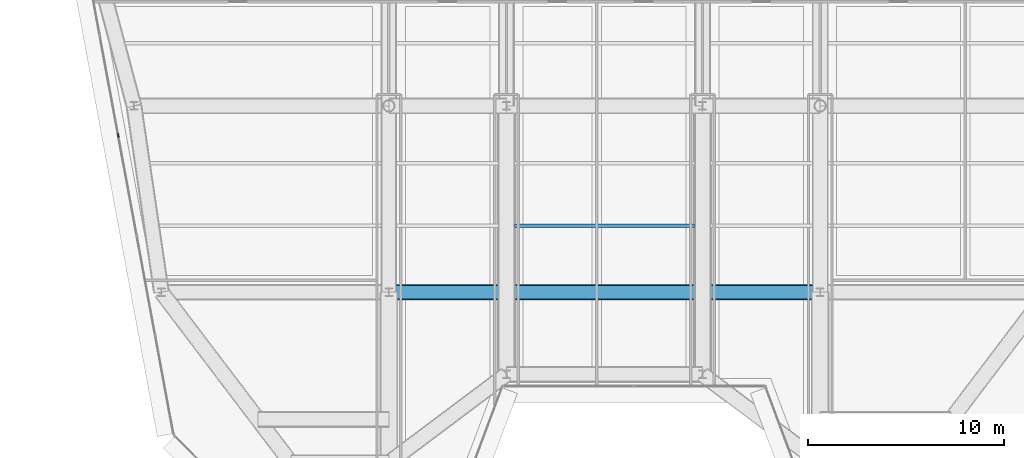
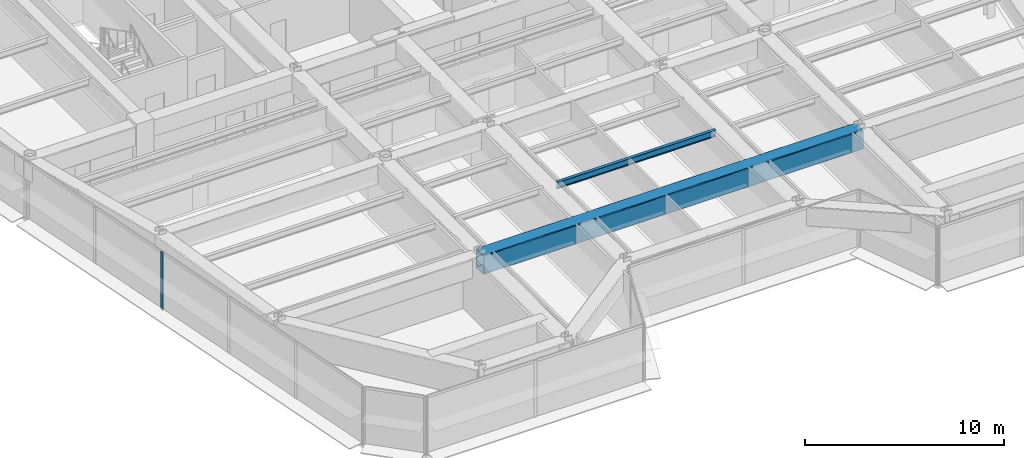
# One storey, part 3 of 17: 2 beams, 1 member, 1 element without a shape of its own.
"""IFC4 building model written with IfcOpenShell, lengths in metres."""

from ifc_helpers import new_model, si_unit, direction, frame, origin, origin_2d, place, context, subcontext, project, spatial, rectangle, hollow_rectangle, i_section, extrude, source, transform, mapped, material, layer, layer_set, material_profile, profile_set, type_object, element, aggregate, save


model = new_model("IFC4")

# Units and contexts
model_context = context("Model", 3, precision=1e-05, world=origin(), true_north=direction((0.0, 1.0)))
body_context = subcontext(model_context, "Body", "Model", "MODEL_VIEW")
ifc_project = project(units=[si_unit("LENGTHUNIT", "METRE"), si_unit("AREAUNIT", "SQUARE_METRE"), si_unit("VOLUMEUNIT", "CUBIC_METRE"), si_unit("PLANEANGLEUNIT", "RADIAN"), si_unit("MASSUNIT", "GRAM", prefix="KILO")], contexts=[model_context])

# Site, building, storey
site_placement = place(None, origin())
site = spatial("IfcSite", under=ifc_project, at=site_placement, CompositionType="ELEMENT")
building_placement = place(site_placement, origin())
building = spatial("IfcBuilding", under=site, at=building_placement, Name="Vaeldorn Concourse Tower", CompositionType="ELEMENT")
storey_placement = place(building_placement, frame((0.0, 0.0, 234.60009765625)))
storey = spatial("IfcBuildingStorey", under=building, at=storey_placement, Name="L60", CompositionType="ELEMENT", Elevation=234.60009765625)

# Beams
ifc_material_1 = material(Name="Steel S460", Category="steel")
ifc_material_profile_1 = material_profile(ifc_material_1, hollow_rectangle(XDim=0.800048828125, YDim=1.199951171875, WallThickness=0.044921875, InnerFilletRadius=0.044921875, OuterFilletRadius=0.090087890625, at=origin_2d()), Name="RHS 1200x800x45")
ifc_profile_set_1 = profile_set([ifc_material_profile_1], Name="Steel S460")
beam_type_1 = type_object("IfcBeamType", Name="BM-TG-RHS1200", PredefinedType="BEAM", material=ifc_profile_set_1)
shared_shape_1 = source(origin(), body_context, "Body", "SweptSolid", [
    extrude(hollow_rectangle(XDim=0.800048828125, YDim=1.199951171875, WallThickness=0.044921875, InnerFilletRadius=0.044921875, OuterFilletRadius=0.090087890625, at=origin_2d()), origin(), (0.0, 0.0, 1.0), 22.0),
])
beam_1_placement = place(storey_placement, frame((23.0, 18.0, 2.97998046875), z_axis=(1.0, 0.0, 0.0), x_axis=(0.0, 1.0, 0.0)))
element("IfcBeam", 1, at=beam_1_placement, inside=storey, type_object=beam_type_1, Name="Beam BM-L60-C-TW5-C-TW6", PredefinedType="BEAM", context=body_context, shape_type="MappedRepresentation", body=[
    mapped(shared_shape_1, transform((0.0, 0.0, 0.0), scale=1.0)),
])
ifc_material_2 = material(Name="Steel S355", Category="steel")
ifc_material_profile_2 = material_profile(ifc_material_2, i_section(OverallWidth=0.179931640625, OverallDepth=0.39990234375, WebThickness=0.008544921875, FlangeThickness=0.013427734375, FilletRadius=0.02099609375, at=origin_2d()), Name="IPE 400")
ifc_profile_set_2 = profile_set([ifc_material_profile_2], Name="Steel S355")
beam_type_2 = type_object("IfcBeamType", Name="BM-JS-IPE400", PredefinedType="JOIST", material=ifc_profile_set_2)
shared_shape_2 = source(origin(), body_context, "Body", "SweptSolid", [
    extrude(i_section(OverallWidth=0.179931640625, OverallDepth=0.39990234375, WebThickness=0.008544921875, FlangeThickness=0.013427734375, FilletRadius=0.02099609375, at=origin_2d()), origin(), (0.0, 0.0, 1.0), 9.2001953125),
])
beam_2_placement = place(storey_placement, frame((29.39990234375, 21.3798828125, 3.3798828125), z_axis=(1.0, 0.0, 0.0), x_axis=(0.0, 1.0, 0.0)))
element("IfcBeam", 2, at=beam_2_placement, inside=storey, type_object=beam_type_2, Name="Beam JS-L60-C-213", PredefinedType="JOIST", context=body_context, shape_type="MappedRepresentation", body=[
    mapped(shared_shape_2, transform((0.0, 0.0, 0.0), scale=1.0)),
])

# Curtain wall, member
ifc_material_3 = material(Name="Anodised Bronze Aluminium", Category="aluminium")
ifc_layer = layer(ifc_material_3, 0.179931640625)
ifc_layer_set = layer_set([ifc_layer], Name="Anodised Bronze Aluminium")
curtain_wall_type = type_object("IfcCurtainWallType", Name="CW-SYS-05", PredefinedType="NOTDEFINED", material=ifc_layer_set)
curtain_wall_placement = place(storey_placement, origin())
curtain_wall = element("IfcCurtainWall", 3, at=curtain_wall_placement, inside=storey, type_object=curtain_wall_type, Name="Unitised Curtain Wall CW-L60-E11-2", PredefinedType="NOTDEFINED")
ifc_material_profile_3 = material_profile(ifc_material_3, rectangle(XDim=0.06494140625, YDim=0.169921875, at=origin_2d()), Name="CWM 65x170")
ifc_profile_set_3 = profile_set([ifc_material_profile_3], Name="Anodised Bronze Aluminium")
member_type = type_object("IfcMemberType", Name="CWM-BRONZE-170", PredefinedType="MULLION", material=ifc_profile_set_3)
shared_shape_3 = source(origin(), body_context, "Body", "SweptSolid", [
    extrude(rectangle(XDim=0.06494140625, YDim=0.169921875, at=origin_2d()), origin(), (0.0, 0.0, 1.0), 3.579833984375),
])
member_placement = place(storey_placement, frame((9.200439453125, 25.990966796875, 0.0), z_axis=(0.0, 0.0, 1.0), x_axis=(0.98331890588, 0.181889882456, 0.0)))
member = element("IfcMember", 4, at=member_placement, type_object=member_type, Name="CW-05 mullion 3", PredefinedType="MULLION", context=body_context, shape_type="MappedRepresentation", body=[
    mapped(shared_shape_3, transform((0.0, 0.0, 0.0), scale=1.0)),
])
aggregate(curtain_wall, [member])

save(model, "model.ifc")
